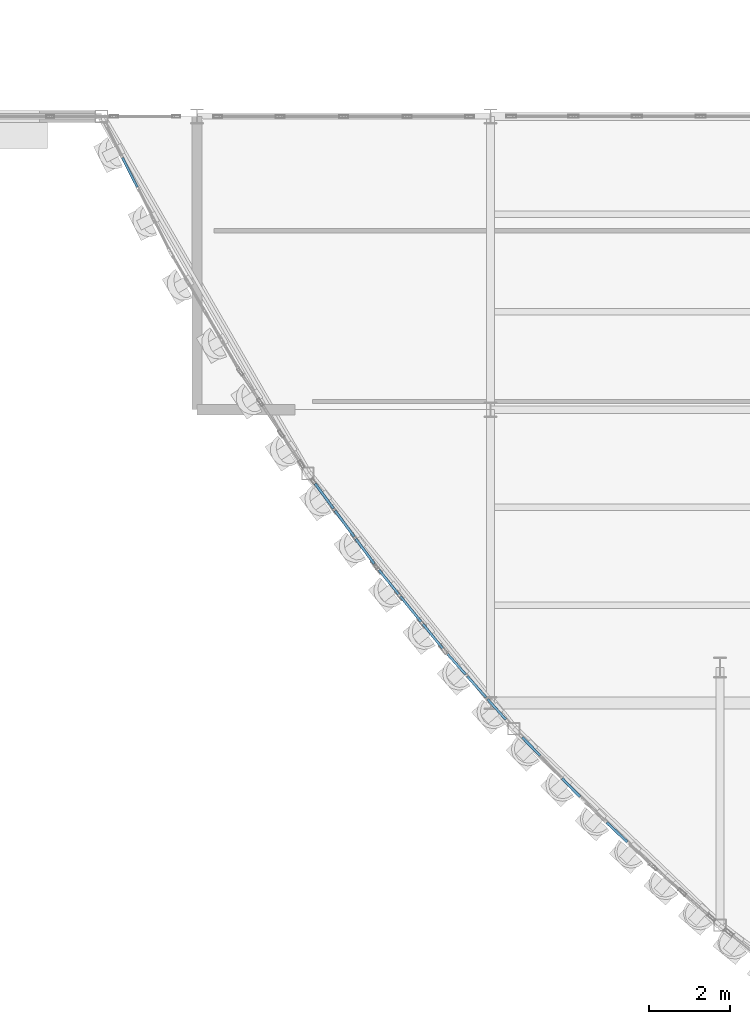
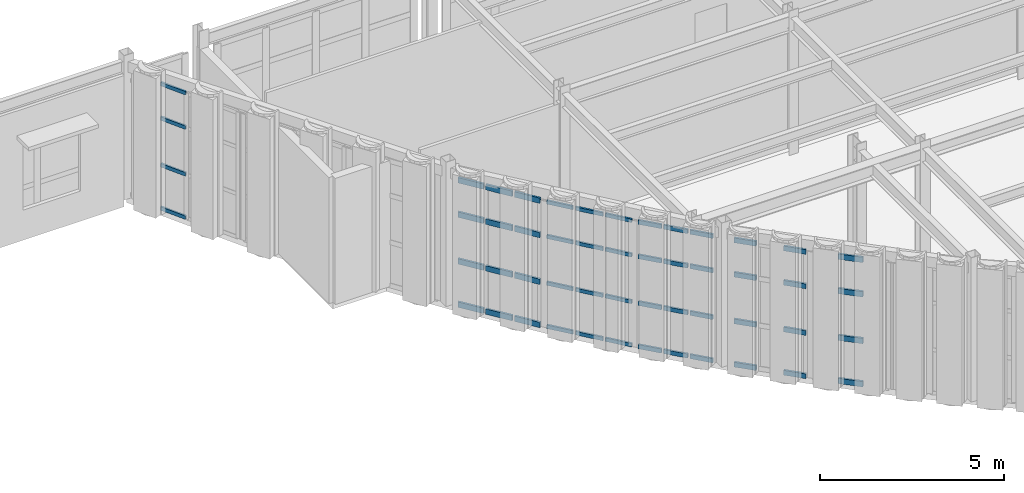
# One storey, part 67 of 121: 52 members, 6 elements without a shape of their own.
"""IFC4 building model written with IfcOpenShell, lengths in metres."""

from ifc_helpers import new_model, si_unit, direction, frame, origin, origin_2d, place, context, subcontext, project, spatial, hollow_rectangle, extrude, material, layer, layer_set, material_profile, profile_set, type_object, element, aggregate, save


model = new_model("IFC4")

# Units and contexts
model_context = context("Model", 3, precision=1e-05, world=origin(), true_north=direction((0.0, 1.0)))
body_context = subcontext(model_context, "Body", "Model", "MODEL_VIEW")
ifc_project = project(units=[si_unit("LENGTHUNIT", "METRE"), si_unit("AREAUNIT", "SQUARE_METRE"), si_unit("VOLUMEUNIT", "CUBIC_METRE"), si_unit("PLANEANGLEUNIT", "RADIAN"), si_unit("MASSUNIT", "GRAM", prefix="KILO")], contexts=[model_context])

# Site, building, storey
site_placement = place(None, origin())
site = spatial("IfcSite", under=ifc_project, at=site_placement, CompositionType="ELEMENT")
building_placement = place(site_placement, origin())
building = spatial("IfcBuilding", under=site, at=building_placement, Name="Solvadek Multi-Sports Hall", CompositionType="ELEMENT")
storey_placement = place(building_placement, frame((0.0, 0.0, 4.800048828125)))
storey = spatial("IfcBuildingStorey", under=building, at=storey_placement, Name="L01", CompositionType="ELEMENT", Elevation=4.800048828125)

# Curtain wall, members
ifc_material = material(Name="Anodised aluminium", Category="aluminium")
ifc_layer_1 = layer(ifc_material, 0.159912109375, Name="Anodised aluminium")
ifc_layer_set_1 = layer_set([ifc_layer_1], Name="Anodised aluminium")
curtain_wall_type_1 = type_object("IfcCurtainWallType", Name="ENV-CW-347X420", PredefinedType="USERDEFINED", material=ifc_layer_set_1)
curtain_wall_1_placement = place(storey_placement, origin())
curtain_wall_1 = element("IfcCurtainWall", 1, at=curtain_wall_1_placement, inside=storey, type_object=curtain_wall_type_1, Name="L01 Crescent Curved Curtain Wall #1", ObjectType="CURTAIN WALL", PredefinedType="USERDEFINED")
ifc_material_profile_1 = material_profile(ifc_material, hollow_rectangle(XDim=0.06005859375, YDim=0.1201171875, WallThickness=0.00390625, at=origin_2d()), Name="ALU-T 120x60x4")
ifc_profile_set_1 = profile_set([ifc_material_profile_1], Name="Anodised aluminium")
member_type_1 = type_object("IfcMemberType", Name="ENV-CWT-01", PredefinedType="USERDEFINED", material=ifc_profile_set_1)
member_1_placement = place(storey_placement, frame((26.9677734375, 19.385986328125, 0.030029296875), z_axis=(0.451688540794, -0.892175690161, 0.0), x_axis=(0.892175690161, 0.451688540794, 0.0)))
member_1 = element("IfcMember", 2, at=member_1_placement, type_object=member_type_1, Name="CW-01 transom 2.1", ObjectType="TRANSOM", PredefinedType="USERDEFINED", context=body_context, shape_type="SweptSolid", body=[
    extrude(hollow_rectangle(XDim=0.06005859375, YDim=0.1201171875, WallThickness=0.00390625, at=origin_2d()), origin(), (0.0, 0.0, 1.0), 0.806396484375),
])
member_2_placement = place(storey_placement, frame((26.9677734375, 19.385986328125, 1.469970703125), z_axis=(0.451688540794, -0.892175690161, 0.0), x_axis=(0.892175690161, 0.451688540794, 0.0)))
member_2 = element("IfcMember", 3, at=member_2_placement, type_object=member_type_1, Name="CW-01 transom 2.2", ObjectType="TRANSOM", PredefinedType="USERDEFINED", context=body_context, shape_type="SweptSolid", body=[
    extrude(hollow_rectangle(XDim=0.06005859375, YDim=0.1201171875, WallThickness=0.00390625, at=origin_2d()), origin(), (0.0, 0.0, 1.0), 0.806396484375),
])
member_3_placement = place(storey_placement, frame((26.9677734375, 19.385986328125, 3.02392578125), z_axis=(0.451688540794, -0.892175690161, 0.0), x_axis=(0.892175690161, 0.451688540794, 0.0)))
member_3 = element("IfcMember", 4, at=member_3_placement, type_object=member_type_1, Name="CW-01 transom 2.3", ObjectType="TRANSOM", PredefinedType="USERDEFINED", context=body_context, shape_type="SweptSolid", body=[
    extrude(hollow_rectangle(XDim=0.06005859375, YDim=0.1201171875, WallThickness=0.00390625, at=origin_2d()), origin(), (0.0, 0.0, 1.0), 0.806396484375),
])
member_4_placement = place(storey_placement, frame((26.9677734375, 19.385986328125, 4.169921875), z_axis=(0.451688540794, -0.892175690161, 0.0), x_axis=(0.892175690161, 0.451688540794, 0.0)))
member_4 = element("IfcMember", 5, at=member_4_placement, type_object=member_type_1, Name="CW-01 transom 2.4", ObjectType="TRANSOM", PredefinedType="USERDEFINED", context=body_context, shape_type="SweptSolid", body=[
    extrude(hollow_rectangle(XDim=0.06005859375, YDim=0.1201171875, WallThickness=0.00390625, at=origin_2d()), origin(), (0.0, 0.0, 1.0), 0.806396484375),
])
aggregate(curtain_wall_1, [member_1, member_2, member_3, member_4])

ifc_layer_2 = layer(ifc_material, 0.159912109375, Name="Anodised aluminium")
ifc_layer_set_2 = layer_set([ifc_layer_2], Name="Anodised aluminium")
curtain_wall_type_2 = type_object("IfcCurtainWallType", Name="ENV-CW-261X420", PredefinedType="USERDEFINED", material=ifc_layer_set_2)
curtain_wall_2_placement = place(storey_placement, origin())
curtain_wall_2 = element("IfcCurtainWall", 6, at=curtain_wall_2_placement, inside=storey, type_object=curtain_wall_type_2, Name="L01 Crescent Curved Curtain Wall #9", ObjectType="CURTAIN WALL", PredefinedType="USERDEFINED")
member_5_placement = place(storey_placement, frame((33.26513671875, 9.26513671875, 0.030029296875), z_axis=(0.630736525618, -0.77599705879, 0.0), x_axis=(0.77599705879, 0.630736525618, 0.0)))
member_5 = element("IfcMember", 7, at=member_5_placement, type_object=member_type_1, Name="CW-05 transom 1.1", ObjectType="TRANSOM", PredefinedType="USERDEFINED", context=body_context, shape_type="SweptSolid", body=[
    extrude(hollow_rectangle(XDim=0.06005859375, YDim=0.1201171875, WallThickness=0.00390625, at=origin_2d()), origin(), (0.0, 0.0, 1.0), 0.766357421875),
])
member_6_placement = place(storey_placement, frame((33.26513671875, 9.26513671875, 1.469970703125), z_axis=(0.630736525618, -0.77599705879, 0.0), x_axis=(0.77599705879, 0.630736525618, 0.0)))
member_6 = element("IfcMember", 8, at=member_6_placement, type_object=member_type_1, Name="CW-05 transom 1.2", ObjectType="TRANSOM", PredefinedType="USERDEFINED", context=body_context, shape_type="SweptSolid", body=[
    extrude(hollow_rectangle(XDim=0.06005859375, YDim=0.1201171875, WallThickness=0.00390625, at=origin_2d()), origin(), (0.0, 0.0, 1.0), 0.766357421875),
])
member_7_placement = place(storey_placement, frame((33.26513671875, 9.26513671875, 3.02392578125), z_axis=(0.630736525618, -0.77599705879, 0.0), x_axis=(0.77599705879, 0.630736525618, 0.0)))
member_7 = element("IfcMember", 9, at=member_7_placement, type_object=member_type_1, Name="CW-05 transom 1.3", ObjectType="TRANSOM", PredefinedType="USERDEFINED", context=body_context, shape_type="SweptSolid", body=[
    extrude(hollow_rectangle(XDim=0.06005859375, YDim=0.1201171875, WallThickness=0.00390625, at=origin_2d()), origin(), (0.0, 0.0, 1.0), 0.766357421875),
])
member_8_placement = place(storey_placement, frame((33.26513671875, 9.26513671875, 4.169921875), z_axis=(0.630736525618, -0.77599705879, 0.0), x_axis=(0.77599705879, 0.630736525618, 0.0)))
member_8 = element("IfcMember", 10, at=member_8_placement, type_object=member_type_1, Name="CW-05 transom 1.4", ObjectType="TRANSOM", PredefinedType="USERDEFINED", context=body_context, shape_type="SweptSolid", body=[
    extrude(hollow_rectangle(XDim=0.06005859375, YDim=0.1201171875, WallThickness=0.00390625, at=origin_2d()), origin(), (0.0, 0.0, 1.0), 0.766357421875),
])
member_9_placement = place(storey_placement, frame((33.792724609375, 8.615966796875, 0.030029296875), z_axis=(0.630730201687, -0.776002198889, 0.0), x_axis=(0.776002198889, 0.630730201687, 0.0)))
member_9 = element("IfcMember", 11, at=member_9_placement, type_object=member_type_1, Name="CW-05 transom 2.1", ObjectType="TRANSOM", PredefinedType="USERDEFINED", context=body_context, shape_type="SweptSolid", body=[
    extrude(hollow_rectangle(XDim=0.06005859375, YDim=0.1201171875, WallThickness=0.00390625, at=origin_2d()), origin(), (0.0, 0.0, 1.0), 0.801513671875),
])
member_10_placement = place(storey_placement, frame((33.792724609375, 8.615966796875, 1.469970703125), z_axis=(0.630730201687, -0.776002198889, 0.0), x_axis=(0.776002198889, 0.630730201687, 0.0)))
member_10 = element("IfcMember", 12, at=member_10_placement, type_object=member_type_1, Name="CW-05 transom 2.2", ObjectType="TRANSOM", PredefinedType="USERDEFINED", context=body_context, shape_type="SweptSolid", body=[
    extrude(hollow_rectangle(XDim=0.06005859375, YDim=0.1201171875, WallThickness=0.00390625, at=origin_2d()), origin(), (0.0, 0.0, 1.0), 0.801513671875),
])
member_11_placement = place(storey_placement, frame((33.792724609375, 8.615966796875, 3.02392578125), z_axis=(0.630730201687, -0.776002198889, 0.0), x_axis=(0.776002198889, 0.630730201687, 0.0)))
member_11 = element("IfcMember", 13, at=member_11_placement, type_object=member_type_1, Name="CW-05 transom 2.3", ObjectType="TRANSOM", PredefinedType="USERDEFINED", context=body_context, shape_type="SweptSolid", body=[
    extrude(hollow_rectangle(XDim=0.06005859375, YDim=0.1201171875, WallThickness=0.00390625, at=origin_2d()), origin(), (0.0, 0.0, 1.0), 0.801513671875),
])
member_12_placement = place(storey_placement, frame((33.792724609375, 8.615966796875, 4.169921875), z_axis=(0.630730201687, -0.776002198889, 0.0), x_axis=(0.776002198889, 0.630730201687, 0.0)))
member_12 = element("IfcMember", 14, at=member_12_placement, type_object=member_type_1, Name="CW-05 transom 2.4", ObjectType="TRANSOM", PredefinedType="USERDEFINED", context=body_context, shape_type="SweptSolid", body=[
    extrude(hollow_rectangle(XDim=0.06005859375, YDim=0.1201171875, WallThickness=0.00390625, at=origin_2d()), origin(), (0.0, 0.0, 1.0), 0.801513671875),
])
member_13_placement = place(storey_placement, frame((34.342529296875, 7.939697265625, 0.030029296875), z_axis=(0.63058063537, -0.776123741614, 0.0), x_axis=(0.776123741614, 0.63058063537, 0.0)))
member_13 = element("IfcMember", 15, at=member_13_placement, type_object=member_type_1, Name="CW-05 transom 3.1", ObjectType="TRANSOM", PredefinedType="USERDEFINED", context=body_context, shape_type="SweptSolid", body=[
    extrude(hollow_rectangle(XDim=0.06005859375, YDim=0.1201171875, WallThickness=0.00390625, at=origin_2d()), origin(), (0.0, 0.0, 1.0), 0.7666015625),
])
member_14_placement = place(storey_placement, frame((34.342529296875, 7.939697265625, 1.469970703125), z_axis=(0.63058063537, -0.776123741614, 0.0), x_axis=(0.776123741614, 0.63058063537, 0.0)))
member_14 = element("IfcMember", 16, at=member_14_placement, type_object=member_type_1, Name="CW-05 transom 3.2", ObjectType="TRANSOM", PredefinedType="USERDEFINED", context=body_context, shape_type="SweptSolid", body=[
    extrude(hollow_rectangle(XDim=0.06005859375, YDim=0.1201171875, WallThickness=0.00390625, at=origin_2d()), origin(), (0.0, 0.0, 1.0), 0.7666015625),
])
member_15_placement = place(storey_placement, frame((34.342529296875, 7.939697265625, 3.02392578125), z_axis=(0.63058063537, -0.776123741614, 0.0), x_axis=(0.776123741614, 0.63058063537, 0.0)))
member_15 = element("IfcMember", 17, at=member_15_placement, type_object=member_type_1, Name="CW-05 transom 3.3", ObjectType="TRANSOM", PredefinedType="USERDEFINED", context=body_context, shape_type="SweptSolid", body=[
    extrude(hollow_rectangle(XDim=0.06005859375, YDim=0.1201171875, WallThickness=0.00390625, at=origin_2d()), origin(), (0.0, 0.0, 1.0), 0.7666015625),
])
member_16_placement = place(storey_placement, frame((34.342529296875, 7.939697265625, 4.169921875), z_axis=(0.63058063537, -0.776123741614, 0.0), x_axis=(0.776123741614, 0.63058063537, 0.0)))
member_16 = element("IfcMember", 18, at=member_16_placement, type_object=member_type_1, Name="CW-05 transom 3.4", ObjectType="TRANSOM", PredefinedType="USERDEFINED", context=body_context, shape_type="SweptSolid", body=[
    extrude(hollow_rectangle(XDim=0.06005859375, YDim=0.1201171875, WallThickness=0.00390625, at=origin_2d()), origin(), (0.0, 0.0, 1.0), 0.7666015625),
])
aggregate(curtain_wall_2, [member_5, member_6, member_7, member_8, member_9, member_10, member_11, member_12, member_13, member_14, member_15, member_16])

ifc_layer_3 = layer(ifc_material, 0.159912109375, Name="Anodised aluminium")
ifc_layer_set_3 = layer_set([ifc_layer_3], Name="Anodised aluminium")
curtain_wall_type_3 = type_object("IfcCurtainWallType", Name="ENV-CW-227X420", PredefinedType="USERDEFINED", material=ifc_layer_set_3)
curtain_wall_3_placement = place(storey_placement, origin())
curtain_wall_3 = element("IfcCurtainWall", 19, at=curtain_wall_3_placement, inside=storey, type_object=curtain_wall_type_3, Name="L01 Crescent Curved Curtain Wall #11", ObjectType="CURTAIN WALL", PredefinedType="USERDEFINED")
ifc_material_profile_2 = material_profile(ifc_material, hollow_rectangle(XDim=0.06005859375, YDim=0.139892578125, WallThickness=0.00390625, at=origin_2d()), Name="ALU-T 140x60x4")
ifc_profile_set_2 = profile_set([ifc_material_profile_2], Name="Anodised aluminium")
member_type_2 = type_object("IfcMemberType", Name="ENV-CWT-02", PredefinedType="USERDEFINED", material=ifc_profile_set_2)
member_17_placement = place(storey_placement, frame((34.94873046875, 7.199951171875, 0.030029296875), z_axis=(0.664841687942, -0.746984290313, 0.0), x_axis=(0.746984290313, 0.664841687942, 0.0)))
member_17 = element("IfcMember", 20, at=member_17_placement, type_object=member_type_2, Name="CW-06 transom 1.1", ObjectType="TRANSOM", PredefinedType="USERDEFINED", context=body_context, shape_type="SweptSolid", body=[
    extrude(hollow_rectangle(XDim=0.06005859375, YDim=0.139892578125, WallThickness=0.00390625, at=origin_2d()), origin(), (0.0, 0.0, 1.0), 0.665771484375),
])
member_18_placement = place(storey_placement, frame((34.94873046875, 7.199951171875, 1.469970703125), z_axis=(0.664841687942, -0.746984290313, 0.0), x_axis=(0.746984290313, 0.664841687942, 0.0)))
member_18 = element("IfcMember", 21, at=member_18_placement, type_object=member_type_2, Name="CW-06 transom 1.2", ObjectType="TRANSOM", PredefinedType="USERDEFINED", context=body_context, shape_type="SweptSolid", body=[
    extrude(hollow_rectangle(XDim=0.06005859375, YDim=0.139892578125, WallThickness=0.00390625, at=origin_2d()), origin(), (0.0, 0.0, 1.0), 0.665771484375),
])
member_19_placement = place(storey_placement, frame((34.94873046875, 7.199951171875, 3.02392578125), z_axis=(0.664841687942, -0.746984290313, 0.0), x_axis=(0.746984290313, 0.664841687942, 0.0)))
member_19 = element("IfcMember", 22, at=member_19_placement, type_object=member_type_2, Name="CW-06 transom 1.3", ObjectType="TRANSOM", PredefinedType="USERDEFINED", context=body_context, shape_type="SweptSolid", body=[
    extrude(hollow_rectangle(XDim=0.06005859375, YDim=0.139892578125, WallThickness=0.00390625, at=origin_2d()), origin(), (0.0, 0.0, 1.0), 0.665771484375),
])
member_20_placement = place(storey_placement, frame((34.94873046875, 7.199951171875, 4.169921875), z_axis=(0.664841687942, -0.746984290313, 0.0), x_axis=(0.746984290313, 0.664841687942, 0.0)))
member_20 = element("IfcMember", 23, at=member_20_placement, type_object=member_type_2, Name="CW-06 transom 1.4", ObjectType="TRANSOM", PredefinedType="USERDEFINED", context=body_context, shape_type="SweptSolid", body=[
    extrude(hollow_rectangle(XDim=0.06005859375, YDim=0.139892578125, WallThickness=0.00390625, at=origin_2d()), origin(), (0.0, 0.0, 1.0), 0.665771484375),
])
member_21_placement = place(storey_placement, frame((35.43115234375, 6.65771484375, 0.030029296875), z_axis=(0.664864561141, -0.746963931752, 0.0), x_axis=(0.746963931752, 0.664864561141, 0.0)))
member_21 = element("IfcMember", 24, at=member_21_placement, type_object=member_type_2, Name="CW-06 transom 2.1", ObjectType="TRANSOM", PredefinedType="USERDEFINED", context=body_context, shape_type="SweptSolid", body=[
    extrude(hollow_rectangle(XDim=0.06005859375, YDim=0.139892578125, WallThickness=0.00390625, at=origin_2d()), origin(), (0.0, 0.0, 1.0), 0.69580078125),
])
member_22_placement = place(storey_placement, frame((35.43115234375, 6.65771484375, 1.469970703125), z_axis=(0.664864561141, -0.746963931752, 0.0), x_axis=(0.746963931752, 0.664864561141, 0.0)))
member_22 = element("IfcMember", 25, at=member_22_placement, type_object=member_type_2, Name="CW-06 transom 2.2", ObjectType="TRANSOM", PredefinedType="USERDEFINED", context=body_context, shape_type="SweptSolid", body=[
    extrude(hollow_rectangle(XDim=0.06005859375, YDim=0.139892578125, WallThickness=0.00390625, at=origin_2d()), origin(), (0.0, 0.0, 1.0), 0.69580078125),
])
member_23_placement = place(storey_placement, frame((35.43115234375, 6.65771484375, 3.02392578125), z_axis=(0.664864561141, -0.746963931752, 0.0), x_axis=(0.746963931752, 0.664864561141, 0.0)))
member_23 = element("IfcMember", 26, at=member_23_placement, type_object=member_type_2, Name="CW-06 transom 2.3", ObjectType="TRANSOM", PredefinedType="USERDEFINED", context=body_context, shape_type="SweptSolid", body=[
    extrude(hollow_rectangle(XDim=0.06005859375, YDim=0.139892578125, WallThickness=0.00390625, at=origin_2d()), origin(), (0.0, 0.0, 1.0), 0.69580078125),
])
member_24_placement = place(storey_placement, frame((35.43115234375, 6.65771484375, 4.169921875), z_axis=(0.664864561141, -0.746963931752, 0.0), x_axis=(0.746963931752, 0.664864561141, 0.0)))
member_24 = element("IfcMember", 27, at=member_24_placement, type_object=member_type_2, Name="CW-06 transom 2.4", ObjectType="TRANSOM", PredefinedType="USERDEFINED", context=body_context, shape_type="SweptSolid", body=[
    extrude(hollow_rectangle(XDim=0.06005859375, YDim=0.139892578125, WallThickness=0.00390625, at=origin_2d()), origin(), (0.0, 0.0, 1.0), 0.69580078125),
])
member_25_placement = place(storey_placement, frame((35.933837890625, 6.093017578125, 0.030029296875), z_axis=(0.664841687942, -0.746984290313, 0.0), x_axis=(0.746984290313, 0.664841687942, 0.0)))
member_25 = element("IfcMember", 28, at=member_25_placement, type_object=member_type_2, Name="CW-06 transom 3.1", ObjectType="TRANSOM", PredefinedType="USERDEFINED", context=body_context, shape_type="SweptSolid", body=[
    extrude(hollow_rectangle(XDim=0.06005859375, YDim=0.139892578125, WallThickness=0.00390625, at=origin_2d()), origin(), (0.0, 0.0, 1.0), 0.665771484375),
])
member_26_placement = place(storey_placement, frame((35.933837890625, 6.093017578125, 1.469970703125), z_axis=(0.664841687942, -0.746984290313, 0.0), x_axis=(0.746984290313, 0.664841687942, 0.0)))
member_26 = element("IfcMember", 29, at=member_26_placement, type_object=member_type_2, Name="CW-06 transom 3.2", ObjectType="TRANSOM", PredefinedType="USERDEFINED", context=body_context, shape_type="SweptSolid", body=[
    extrude(hollow_rectangle(XDim=0.06005859375, YDim=0.139892578125, WallThickness=0.00390625, at=origin_2d()), origin(), (0.0, 0.0, 1.0), 0.665771484375),
])
member_27_placement = place(storey_placement, frame((35.933837890625, 6.093017578125, 3.02392578125), z_axis=(0.664841687942, -0.746984290313, 0.0), x_axis=(0.746984290313, 0.664841687942, 0.0)))
member_27 = element("IfcMember", 30, at=member_27_placement, type_object=member_type_2, Name="CW-06 transom 3.3", ObjectType="TRANSOM", PredefinedType="USERDEFINED", context=body_context, shape_type="SweptSolid", body=[
    extrude(hollow_rectangle(XDim=0.06005859375, YDim=0.139892578125, WallThickness=0.00390625, at=origin_2d()), origin(), (0.0, 0.0, 1.0), 0.665771484375),
])
member_28_placement = place(storey_placement, frame((35.933837890625, 6.093017578125, 4.169921875), z_axis=(0.664841687942, -0.746984290313, 0.0), x_axis=(0.746984290313, 0.664841687942, 0.0)))
member_28 = element("IfcMember", 31, at=member_28_placement, type_object=member_type_2, Name="CW-06 transom 3.4", ObjectType="TRANSOM", PredefinedType="USERDEFINED", context=body_context, shape_type="SweptSolid", body=[
    extrude(hollow_rectangle(XDim=0.06005859375, YDim=0.139892578125, WallThickness=0.00390625, at=origin_2d()), origin(), (0.0, 0.0, 1.0), 0.665771484375),
])
aggregate(curtain_wall_3, [member_17, member_18, member_19, member_20, member_21, member_22, member_23, member_24, member_25, member_26, member_27, member_28])

ifc_layer_4 = layer(ifc_material, 0.159912109375, Name="Anodised aluminium")
ifc_layer_set_4 = layer_set([ifc_layer_4], Name="Anodised aluminium")
curtain_wall_type_4 = type_object("IfcCurtainWallType", Name="ENV-CW-215X420", PredefinedType="USERDEFINED", material=ifc_layer_set_4)
curtain_wall_4_placement = place(storey_placement, origin())
curtain_wall_4 = element("IfcCurtainWall", 32, at=curtain_wall_4_placement, inside=storey, type_object=curtain_wall_type_4, Name="L01 Crescent Curved Curtain Wall #13", ObjectType="CURTAIN WALL", PredefinedType="USERDEFINED")
ifc_material_profile_3 = material_profile(ifc_material, hollow_rectangle(XDim=0.06494140625, YDim=0.159912109375, WallThickness=0.00390625, at=origin_2d()), Name="ALU-T 160x65x4")
ifc_profile_set_3 = profile_set([ifc_material_profile_3], Name="Anodised aluminium")
member_type_3 = type_object("IfcMemberType", Name="ENV-CWT-03", PredefinedType="USERDEFINED", material=ifc_profile_set_3)
member_29_placement = place(storey_placement, frame((36.78466796875, 5.156005859375, 0.032470703125), z_axis=(0.696133688554, -0.717912172665, 0.0), x_axis=(0.717912172665, 0.696133688554, 0.0)))
member_29 = element("IfcMember", 33, at=member_29_placement, type_object=member_type_3, Name="CW-07 transom 1.1", ObjectType="TRANSOM", PredefinedType="USERDEFINED", context=body_context, shape_type="SweptSolid", body=[
    extrude(hollow_rectangle(XDim=0.06494140625, YDim=0.159912109375, WallThickness=0.00390625, at=origin_2d()), origin(), (0.0, 0.0, 1.0), 0.627685546875),
])
member_30_placement = place(storey_placement, frame((36.78466796875, 5.156005859375, 1.469970703125), z_axis=(0.696133688554, -0.717912172665, 0.0), x_axis=(0.717912172665, 0.696133688554, 0.0)))
member_30 = element("IfcMember", 34, at=member_30_placement, type_object=member_type_3, Name="CW-07 transom 1.2", ObjectType="TRANSOM", PredefinedType="USERDEFINED", context=body_context, shape_type="SweptSolid", body=[
    extrude(hollow_rectangle(XDim=0.06494140625, YDim=0.159912109375, WallThickness=0.00390625, at=origin_2d()), origin(), (0.0, 0.0, 1.0), 0.627685546875),
])
member_31_placement = place(storey_placement, frame((36.78466796875, 5.156005859375, 3.02392578125), z_axis=(0.696133688554, -0.717912172665, 0.0), x_axis=(0.717912172665, 0.696133688554, 0.0)))
member_31 = element("IfcMember", 35, at=member_31_placement, type_object=member_type_3, Name="CW-07 transom 1.3", ObjectType="TRANSOM", PredefinedType="USERDEFINED", context=body_context, shape_type="SweptSolid", body=[
    extrude(hollow_rectangle(XDim=0.06494140625, YDim=0.159912109375, WallThickness=0.00390625, at=origin_2d()), origin(), (0.0, 0.0, 1.0), 0.627685546875),
])
member_32_placement = place(storey_placement, frame((36.78466796875, 5.156005859375, 4.16748046875), z_axis=(0.696133688554, -0.717912172665, 0.0), x_axis=(0.717912172665, 0.696133688554, 0.0)))
member_32 = element("IfcMember", 36, at=member_32_placement, type_object=member_type_3, Name="CW-07 transom 1.4", ObjectType="TRANSOM", PredefinedType="USERDEFINED", context=body_context, shape_type="SweptSolid", body=[
    extrude(hollow_rectangle(XDim=0.06494140625, YDim=0.159912109375, WallThickness=0.00390625, at=origin_2d()), origin(), (0.0, 0.0, 1.0), 0.627685546875),
])
member_33_placement = place(storey_placement, frame((37.762939453125, 4.146728515625, 0.032470703125), z_axis=(0.695939358791, -0.71810055625, 0.0), x_axis=(0.71810055625, 0.695939358791, 0.0)))
member_33 = element("IfcMember", 37, at=member_33_placement, type_object=member_type_3, Name="CW-07 transom 3.1", ObjectType="TRANSOM", PredefinedType="USERDEFINED", context=body_context, shape_type="SweptSolid", body=[
    extrude(hollow_rectangle(XDim=0.06494140625, YDim=0.159912109375, WallThickness=0.00390625, at=origin_2d()), origin(), (0.0, 0.0, 1.0), 0.6279296875),
])
member_34_placement = place(storey_placement, frame((37.762939453125, 4.146728515625, 1.469970703125), z_axis=(0.695939358791, -0.71810055625, 0.0), x_axis=(0.71810055625, 0.695939358791, 0.0)))
member_34 = element("IfcMember", 38, at=member_34_placement, type_object=member_type_3, Name="CW-07 transom 3.2", ObjectType="TRANSOM", PredefinedType="USERDEFINED", context=body_context, shape_type="SweptSolid", body=[
    extrude(hollow_rectangle(XDim=0.06494140625, YDim=0.159912109375, WallThickness=0.00390625, at=origin_2d()), origin(), (0.0, 0.0, 1.0), 0.6279296875),
])
member_35_placement = place(storey_placement, frame((37.762939453125, 4.146728515625, 3.02392578125), z_axis=(0.695939358791, -0.71810055625, 0.0), x_axis=(0.71810055625, 0.695939358791, 0.0)))
member_35 = element("IfcMember", 39, at=member_35_placement, type_object=member_type_3, Name="CW-07 transom 3.3", ObjectType="TRANSOM", PredefinedType="USERDEFINED", context=body_context, shape_type="SweptSolid", body=[
    extrude(hollow_rectangle(XDim=0.06494140625, YDim=0.159912109375, WallThickness=0.00390625, at=origin_2d()), origin(), (0.0, 0.0, 1.0), 0.6279296875),
])
member_36_placement = place(storey_placement, frame((37.762939453125, 4.146728515625, 4.16748046875), z_axis=(0.695939358791, -0.71810055625, 0.0), x_axis=(0.71810055625, 0.695939358791, 0.0)))
member_36 = element("IfcMember", 40, at=member_36_placement, type_object=member_type_3, Name="CW-07 transom 3.4", ObjectType="TRANSOM", PredefinedType="USERDEFINED", context=body_context, shape_type="SweptSolid", body=[
    extrude(hollow_rectangle(XDim=0.06494140625, YDim=0.159912109375, WallThickness=0.00390625, at=origin_2d()), origin(), (0.0, 0.0, 1.0), 0.6279296875),
])
aggregate(curtain_wall_4, [member_29, member_30, member_31, member_32, member_33, member_34, member_35, member_36])

ifc_layer_5 = layer(ifc_material, 0.159912109375, Name="Anodised aluminium")
ifc_layer_set_5 = layer_set([ifc_layer_5], Name="Anodised aluminium")
curtain_wall_type_5 = type_object("IfcCurtainWallType", Name="ENV-CW-257X420", PredefinedType="USERDEFINED", material=ifc_layer_set_5)
curtain_wall_5_placement = place(storey_placement, origin())
curtain_wall_5 = element("IfcCurtainWall", 41, at=curtain_wall_5_placement, inside=storey, type_object=curtain_wall_type_5, Name="L01 Crescent Curved Curtain Wall #7", ObjectType="CURTAIN WALL", PredefinedType="USERDEFINED")
ifc_material_profile_4 = material_profile(ifc_material, hollow_rectangle(XDim=0.06494140625, YDim=0.179931640625, WallThickness=0.0048828125, at=origin_2d()), Name="ALU-T 180x65x5")
ifc_profile_set_4 = profile_set([ifc_material_profile_4], Name="Anodised aluminium")
member_type_4 = type_object("IfcMemberType", Name="ENV-CWT-04", PredefinedType="USERDEFINED", material=ifc_profile_set_4)
member_37_placement = place(storey_placement, frame((31.696044921875, 11.386962890625, 0.032470703125), z_axis=(0.59319903805, -0.805055837353, 0.0), x_axis=(0.805055837353, 0.59319903805, 0.0)))
member_37 = element("IfcMember", 42, at=member_37_placement, type_object=member_type_4, Name="CW-04 transom 1.1", ObjectType="TRANSOM", PredefinedType="USERDEFINED", context=body_context, shape_type="SweptSolid", body=[
    extrude(hollow_rectangle(XDim=0.06494140625, YDim=0.179931640625, WallThickness=0.0048828125, at=origin_2d()), origin(), (0.0, 0.0, 1.0), 0.760498046875),
])
member_38_placement = place(storey_placement, frame((31.696044921875, 11.386962890625, 1.469970703125), z_axis=(0.59319903805, -0.805055837353, 0.0), x_axis=(0.805055837353, 0.59319903805, 0.0)))
member_38 = element("IfcMember", 43, at=member_38_placement, type_object=member_type_4, Name="CW-04 transom 1.2", ObjectType="TRANSOM", PredefinedType="USERDEFINED", context=body_context, shape_type="SweptSolid", body=[
    extrude(hollow_rectangle(XDim=0.06494140625, YDim=0.179931640625, WallThickness=0.0048828125, at=origin_2d()), origin(), (0.0, 0.0, 1.0), 0.760498046875),
])
member_39_placement = place(storey_placement, frame((31.696044921875, 11.386962890625, 3.02392578125), z_axis=(0.59319903805, -0.805055837353, 0.0), x_axis=(0.805055837353, 0.59319903805, 0.0)))
member_39 = element("IfcMember", 44, at=member_39_placement, type_object=member_type_4, Name="CW-04 transom 1.3", ObjectType="TRANSOM", PredefinedType="USERDEFINED", context=body_context, shape_type="SweptSolid", body=[
    extrude(hollow_rectangle(XDim=0.06494140625, YDim=0.179931640625, WallThickness=0.0048828125, at=origin_2d()), origin(), (0.0, 0.0, 1.0), 0.760498046875),
])
member_40_placement = place(storey_placement, frame((31.696044921875, 11.386962890625, 4.16748046875), z_axis=(0.59319903805, -0.805055837353, 0.0), x_axis=(0.805055837353, 0.59319903805, 0.0)))
member_40 = element("IfcMember", 45, at=member_40_placement, type_object=member_type_4, Name="CW-04 transom 1.4", ObjectType="TRANSOM", PredefinedType="USERDEFINED", context=body_context, shape_type="SweptSolid", body=[
    extrude(hollow_rectangle(XDim=0.06494140625, YDim=0.179931640625, WallThickness=0.0048828125, at=origin_2d()), origin(), (0.0, 0.0, 1.0), 0.760498046875),
])
member_41_placement = place(storey_placement, frame((32.185791015625, 10.722412109375, 0.032470703125), z_axis=(0.593030974752, -0.805179646405, 0.0), x_axis=(0.805179646405, 0.593030974752, 0.0)))
member_41 = element("IfcMember", 46, at=member_41_placement, type_object=member_type_4, Name="CW-04 transom 2.1", ObjectType="TRANSOM", PredefinedType="USERDEFINED", context=body_context, shape_type="SweptSolid", body=[
    extrude(hollow_rectangle(XDim=0.06494140625, YDim=0.179931640625, WallThickness=0.0048828125, at=origin_2d()), origin(), (0.0, 0.0, 1.0), 0.79296875),
])
member_42_placement = place(storey_placement, frame((32.185791015625, 10.722412109375, 1.469970703125), z_axis=(0.593030974752, -0.805179646405, 0.0), x_axis=(0.805179646405, 0.593030974752, 0.0)))
member_42 = element("IfcMember", 47, at=member_42_placement, type_object=member_type_4, Name="CW-04 transom 2.2", ObjectType="TRANSOM", PredefinedType="USERDEFINED", context=body_context, shape_type="SweptSolid", body=[
    extrude(hollow_rectangle(XDim=0.06494140625, YDim=0.179931640625, WallThickness=0.0048828125, at=origin_2d()), origin(), (0.0, 0.0, 1.0), 0.79296875),
])
member_43_placement = place(storey_placement, frame((32.185791015625, 10.722412109375, 3.02392578125), z_axis=(0.593030974752, -0.805179646405, 0.0), x_axis=(0.805179646405, 0.593030974752, 0.0)))
member_43 = element("IfcMember", 48, at=member_43_placement, type_object=member_type_4, Name="CW-04 transom 2.3", ObjectType="TRANSOM", PredefinedType="USERDEFINED", context=body_context, shape_type="SweptSolid", body=[
    extrude(hollow_rectangle(XDim=0.06494140625, YDim=0.179931640625, WallThickness=0.0048828125, at=origin_2d()), origin(), (0.0, 0.0, 1.0), 0.79296875),
])
member_44_placement = place(storey_placement, frame((32.185791015625, 10.722412109375, 4.16748046875), z_axis=(0.593030974752, -0.805179646405, 0.0), x_axis=(0.805179646405, 0.593030974752, 0.0)))
member_44 = element("IfcMember", 49, at=member_44_placement, type_object=member_type_4, Name="CW-04 transom 2.4", ObjectType="TRANSOM", PredefinedType="USERDEFINED", context=body_context, shape_type="SweptSolid", body=[
    extrude(hollow_rectangle(XDim=0.06494140625, YDim=0.179931640625, WallThickness=0.0048828125, at=origin_2d()), origin(), (0.0, 0.0, 1.0), 0.79296875),
])
member_45_placement = place(storey_placement, frame((32.694580078125, 10.031494140625, 0.032470703125), z_axis=(0.593352360826, -0.804942840146, 0.0), x_axis=(0.804942840146, 0.593352360826, 0.0)))
member_45 = element("IfcMember", 50, at=member_45_placement, type_object=member_type_4, Name="CW-04 transom 3.1", ObjectType="TRANSOM", PredefinedType="USERDEFINED", context=body_context, shape_type="SweptSolid", body=[
    extrude(hollow_rectangle(XDim=0.06494140625, YDim=0.179931640625, WallThickness=0.0048828125, at=origin_2d()), origin(), (0.0, 0.0, 1.0), 0.760498046875),
])
member_46_placement = place(storey_placement, frame((32.694580078125, 10.031494140625, 1.469970703125), z_axis=(0.593352360826, -0.804942840146, 0.0), x_axis=(0.804942840146, 0.593352360826, 0.0)))
member_46 = element("IfcMember", 51, at=member_46_placement, type_object=member_type_4, Name="CW-04 transom 3.2", ObjectType="TRANSOM", PredefinedType="USERDEFINED", context=body_context, shape_type="SweptSolid", body=[
    extrude(hollow_rectangle(XDim=0.06494140625, YDim=0.179931640625, WallThickness=0.0048828125, at=origin_2d()), origin(), (0.0, 0.0, 1.0), 0.760498046875),
])
member_47_placement = place(storey_placement, frame((32.694580078125, 10.031494140625, 3.02392578125), z_axis=(0.593352360826, -0.804942840146, 0.0), x_axis=(0.804942840146, 0.593352360826, 0.0)))
member_47 = element("IfcMember", 52, at=member_47_placement, type_object=member_type_4, Name="CW-04 transom 3.3", ObjectType="TRANSOM", PredefinedType="USERDEFINED", context=body_context, shape_type="SweptSolid", body=[
    extrude(hollow_rectangle(XDim=0.06494140625, YDim=0.179931640625, WallThickness=0.0048828125, at=origin_2d()), origin(), (0.0, 0.0, 1.0), 0.760498046875),
])
member_48_placement = place(storey_placement, frame((32.694580078125, 10.031494140625, 4.16748046875), z_axis=(0.593352360826, -0.804942840146, 0.0), x_axis=(0.804942840146, 0.593352360826, 0.0)))
member_48 = element("IfcMember", 53, at=member_48_placement, type_object=member_type_4, Name="CW-04 transom 3.4", ObjectType="TRANSOM", PredefinedType="USERDEFINED", context=body_context, shape_type="SweptSolid", body=[
    extrude(hollow_rectangle(XDim=0.06494140625, YDim=0.179931640625, WallThickness=0.0048828125, at=origin_2d()), origin(), (0.0, 0.0, 1.0), 0.760498046875),
])
aggregate(curtain_wall_5, [member_37, member_38, member_39, member_40, member_41, member_42, member_43, member_44, member_45, member_46, member_47, member_48])

curtain_wall_6_placement = place(storey_placement, origin())
curtain_wall_6 = element("IfcCurtainWall", 54, at=curtain_wall_6_placement, inside=storey, type_object=curtain_wall_type_3, Name="L01 Crescent Curved Curtain Wall #15", ObjectType="CURTAIN WALL", PredefinedType="USERDEFINED")
member_49_placement = place(storey_placement, frame((38.855712890625, 3.0673828125, 0.032470703125), z_axis=(0.724725888138, -0.689037290038, 0.0), x_axis=(0.689037290038, 0.724725888138, 0.0)))
member_49 = element("IfcMember", 55, at=member_49_placement, type_object=member_type_4, Name="CW-06 transom 2.1", ObjectType="TRANSOM", PredefinedType="USERDEFINED", context=body_context, shape_type="SweptSolid", body=[
    extrude(hollow_rectangle(XDim=0.06494140625, YDim=0.179931640625, WallThickness=0.0048828125, at=origin_2d()), origin(), (0.0, 0.0, 1.0), 0.69091796875),
])
member_50_placement = place(storey_placement, frame((38.855712890625, 3.0673828125, 1.469970703125), z_axis=(0.724725888138, -0.689037290038, 0.0), x_axis=(0.689037290038, 0.724725888138, 0.0)))
member_50 = element("IfcMember", 56, at=member_50_placement, type_object=member_type_4, Name="CW-06 transom 2.2", ObjectType="TRANSOM", PredefinedType="USERDEFINED", context=body_context, shape_type="SweptSolid", body=[
    extrude(hollow_rectangle(XDim=0.06494140625, YDim=0.179931640625, WallThickness=0.0048828125, at=origin_2d()), origin(), (0.0, 0.0, 1.0), 0.69091796875),
])
member_51_placement = place(storey_placement, frame((38.855712890625, 3.0673828125, 3.02392578125), z_axis=(0.724725888138, -0.689037290038, 0.0), x_axis=(0.689037290038, 0.724725888138, 0.0)))
member_51 = element("IfcMember", 57, at=member_51_placement, type_object=member_type_4, Name="CW-06 transom 2.3", ObjectType="TRANSOM", PredefinedType="USERDEFINED", context=body_context, shape_type="SweptSolid", body=[
    extrude(hollow_rectangle(XDim=0.06494140625, YDim=0.179931640625, WallThickness=0.0048828125, at=origin_2d()), origin(), (0.0, 0.0, 1.0), 0.69091796875),
])
member_52_placement = place(storey_placement, frame((38.855712890625, 3.0673828125, 4.16748046875), z_axis=(0.724725888138, -0.689037290038, 0.0), x_axis=(0.689037290038, 0.724725888138, 0.0)))
member_52 = element("IfcMember", 58, at=member_52_placement, type_object=member_type_4, Name="CW-06 transom 2.4", ObjectType="TRANSOM", PredefinedType="USERDEFINED", context=body_context, shape_type="SweptSolid", body=[
    extrude(hollow_rectangle(XDim=0.06494140625, YDim=0.179931640625, WallThickness=0.0048828125, at=origin_2d()), origin(), (0.0, 0.0, 1.0), 0.69091796875),
])
aggregate(curtain_wall_6, [member_49, member_50, member_51, member_52])

save(model, "model.ifc")
